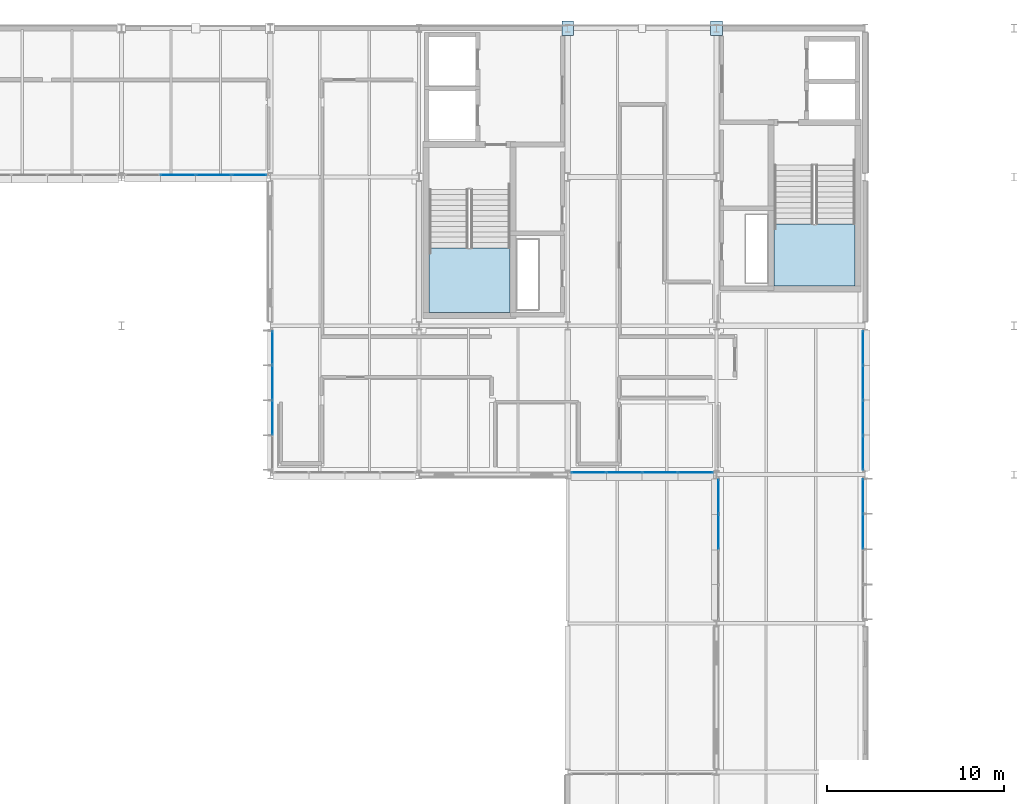
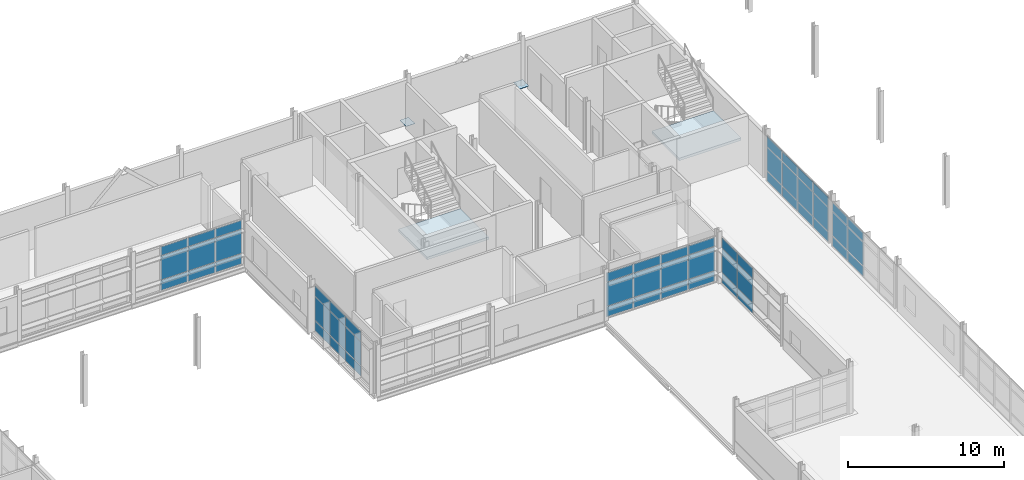
# One storey, part 80 of 103: 56 plates, 2 slabs, 8 elements without a shape of their own.
"""IFC4 building model written with IfcOpenShell, lengths in metres."""

from ifc_helpers import new_model, si_unit, direction, frame, origin, origin_2d, place, context, subcontext, project, spatial, polyline, rectangle, outline, extrude, material, layer, layer_set, type_object, element, aggregate, save


model = new_model("IFC4")

# Units and contexts
model_context = context("Model", 3, precision=1e-05, world=origin(), true_north=direction((0.0, 1.0)))
body_context = subcontext(model_context, "Body", "Model", "MODEL_VIEW")
ifc_project = project(units=[si_unit("LENGTHUNIT", "METRE"), si_unit("AREAUNIT", "SQUARE_METRE"), si_unit("VOLUMEUNIT", "CUBIC_METRE"), si_unit("PLANEANGLEUNIT", "RADIAN"), si_unit("MASSUNIT", "GRAM", prefix="KILO")], contexts=[model_context])

# Site, building, storey
site_placement = place(None, origin())
site = spatial("IfcSite", under=ifc_project, at=site_placement, CompositionType="ELEMENT")
building_placement = place(site_placement, origin())
building = spatial("IfcBuilding", under=site, at=building_placement, Name="Mersafa Astral City Hall", CompositionType="ELEMENT")
storey_placement = place(building_placement, frame((0.0, 0.0, 18.0)))
storey = spatial("IfcBuildingStorey", under=building, at=storey_placement, Name="L04", CompositionType="ELEMENT", Elevation=18.0)

# Curtain wall, plates
ifc_material_1 = material(Name="Anodised bronze aluminium framing", Category="aluminium")
curtain_wall_type_1 = type_object("IfcCurtainWallType", Name="ENV-CW-1", PredefinedType="USERDEFINED", material=ifc_material_1)
curtain_wall_1_placement = place(storey_placement, origin())
curtain_wall_1 = element("IfcCurtainWall", 1, at=curtain_wall_1_placement, inside=storey, type_object=curtain_wall_type_1, Name="L04 Unitised solar curtain wall 192", ObjectType="UNITISED CURTAIN WALL", PredefinedType="USERDEFINED")
ifc_material_2 = material(Name="Solar control low-e double glazing", Category="glass")
ifc_layer_1 = layer(ifc_material_2, 0.028076171875, Name="Solar control low-e double glazing")
ifc_layer_set_1 = layer_set([ifc_layer_1], Name="Solar control low-e double glazing — ENV-CW-PNL-GLZ-1")
plate_type_1 = type_object("IfcPlateType", Name="ENV-CW-PNL-GLZ-1", PredefinedType="CURTAIN_PANEL", material=ifc_layer_set_1)
plate_1_placement = place(storey_placement, frame((176.280029296875, 97.589599609375, 0.05810546875), z_axis=(0.0, 0.0, 1.0), x_axis=(0.0, 1.0, 0.0)))
plate_1 = element("IfcPlate", 2, at=plate_1_placement, type_object=plate_type_1, Name="CW-1 panel 3.1", PredefinedType="CURTAIN_PANEL", context=body_context, shape_type="SweptSolid", body=[
    extrude(rectangle(XDim=1.93896484375, YDim=0.028076171875, at=origin_2d()), origin(), (0.0, 0.0, 1.0), 0.761962890625),
])
plate_2_placement = place(storey_placement, frame((176.280029296875, 97.589599609375, 0.8798828125), z_axis=(0.0, 0.0, 1.0), x_axis=(0.0, 1.0, 0.0)))
plate_2 = element("IfcPlate", 3, at=plate_2_placement, type_object=plate_type_1, Name="CW-1 panel 3.2", PredefinedType="CURTAIN_PANEL", context=body_context, shape_type="SweptSolid", body=[
    extrude(rectangle(XDim=1.93896484375, YDim=0.028076171875, at=origin_2d()), origin(), (0.0, 0.0, 1.0), 1.840087890625),
])
plate_3_placement = place(storey_placement, frame((176.280029296875, 97.589599609375, 2.780029296875), z_axis=(0.0, 0.0, 1.0), x_axis=(0.0, 1.0, 0.0)))
plate_3 = element("IfcPlate", 4, at=plate_3_placement, type_object=plate_type_1, Name="CW-1 panel 3.3", PredefinedType="CURTAIN_PANEL", context=body_context, shape_type="SweptSolid", body=[
    extrude(rectangle(XDim=1.93896484375, YDim=0.028076171875, at=origin_2d()), origin(), (0.0, 0.0, 1.0), 0.6669921875),
])
plate_4_placement = place(storey_placement, frame((176.280029296875, 99.573486328125, 0.05810546875), z_axis=(0.0, 0.0, 1.0), x_axis=(0.0, 1.0, 0.0)))
plate_4 = element("IfcPlate", 5, at=plate_4_placement, type_object=plate_type_1, Name="CW-1 panel 4.1", PredefinedType="CURTAIN_PANEL", context=body_context, shape_type="SweptSolid", body=[
    extrude(rectangle(XDim=1.908935546875, YDim=0.028076171875, at=origin_2d()), origin(), (0.0, 0.0, 1.0), 0.761962890625),
])
plate_5_placement = place(storey_placement, frame((176.280029296875, 99.573486328125, 0.8798828125), z_axis=(0.0, 0.0, 1.0), x_axis=(0.0, 1.0, 0.0)))
plate_5 = element("IfcPlate", 6, at=plate_5_placement, type_object=plate_type_1, Name="CW-1 panel 4.2", PredefinedType="CURTAIN_PANEL", context=body_context, shape_type="SweptSolid", body=[
    extrude(rectangle(XDim=1.908935546875, YDim=0.028076171875, at=origin_2d()), origin(), (0.0, 0.0, 1.0), 1.840087890625),
])
plate_6_placement = place(storey_placement, frame((176.280029296875, 99.573486328125, 2.780029296875), z_axis=(0.0, 0.0, 1.0), x_axis=(0.0, 1.0, 0.0)))
plate_6 = element("IfcPlate", 7, at=plate_6_placement, type_object=plate_type_1, Name="CW-1 panel 4.3", PredefinedType="CURTAIN_PANEL", context=body_context, shape_type="SweptSolid", body=[
    extrude(rectangle(XDim=1.908935546875, YDim=0.028076171875, at=origin_2d()), origin(), (0.0, 0.0, 1.0), 0.6669921875),
])
aggregate(curtain_wall_1, [plate_1, plate_2, plate_3, plate_4, plate_5, plate_6])

curtain_wall_type_2 = type_object("IfcCurtainWallType", Name="ENV-CW-5", PredefinedType="USERDEFINED", material=ifc_material_1)
curtain_wall_2_placement = place(storey_placement, origin())
curtain_wall_2 = element("IfcCurtainWall", 8, at=curtain_wall_2_placement, inside=storey, type_object=curtain_wall_type_2, Name="L04 Unitised solar curtain wall 220", ObjectType="UNITISED CURTAIN WALL", PredefinedType="USERDEFINED")
plate_7_placement = place(storey_placement, frame((142.919921875, 107.957275390625, 0.05810546875), z_axis=(0.0, 0.0, 1.0), x_axis=(0.0, -1.0, 0.0)))
plate_7 = element("IfcPlate", 9, at=plate_7_placement, type_object=plate_type_1, Name="CW-5 panel 1.1", PredefinedType="CURTAIN_PANEL", context=body_context, shape_type="SweptSolid", body=[
    extrude(rectangle(XDim=1.8916015625, YDim=0.028076171875, at=origin_2d()), origin(), (0.0, 0.0, 1.0), 0.761962890625),
])
plate_8_placement = place(storey_placement, frame((142.919921875, 107.957275390625, 0.8798828125), z_axis=(0.0, 0.0, 1.0), x_axis=(0.0, -1.0, 0.0)))
plate_8 = element("IfcPlate", 10, at=plate_8_placement, type_object=plate_type_1, Name="CW-5 panel 1.2", PredefinedType="CURTAIN_PANEL", context=body_context, shape_type="SweptSolid", body=[
    extrude(rectangle(XDim=1.8916015625, YDim=0.028076171875, at=origin_2d()), origin(), (0.0, 0.0, 1.0), 1.840087890625),
])
plate_9_placement = place(storey_placement, frame((142.919921875, 107.957275390625, 2.77978515625), z_axis=(0.0, 0.0, 1.0), x_axis=(0.0, -1.0, 0.0)))
plate_9 = element("IfcPlate", 11, at=plate_9_placement, type_object=plate_type_1, Name="CW-5 panel 1.3", PredefinedType="CURTAIN_PANEL", context=body_context, shape_type="SweptSolid", body=[
    extrude(rectangle(XDim=1.8916015625, YDim=0.028076171875, at=origin_2d()), origin(), (0.0, 0.0, 1.0), 0.757080078125),
])
plate_10_placement = place(storey_placement, frame((142.919921875, 105.99072265625, 0.05810546875), z_axis=(0.0, 0.0, 1.0), x_axis=(0.0, -1.0, 0.0)))
plate_10 = element("IfcPlate", 12, at=plate_10_placement, type_object=plate_type_1, Name="CW-5 panel 2.1", PredefinedType="CURTAIN_PANEL", context=body_context, shape_type="SweptSolid", body=[
    extrude(rectangle(XDim=1.92138671875, YDim=0.028076171875, at=origin_2d()), origin(), (0.0, 0.0, 1.0), 0.761962890625),
])
plate_11_placement = place(storey_placement, frame((142.919921875, 105.99072265625, 0.8798828125), z_axis=(0.0, 0.0, 1.0), x_axis=(0.0, -1.0, 0.0)))
plate_11 = element("IfcPlate", 13, at=plate_11_placement, type_object=plate_type_1, Name="CW-5 panel 2.2", PredefinedType="CURTAIN_PANEL", context=body_context, shape_type="SweptSolid", body=[
    extrude(rectangle(XDim=1.92138671875, YDim=0.028076171875, at=origin_2d()), origin(), (0.0, 0.0, 1.0), 1.840087890625),
])
plate_12_placement = place(storey_placement, frame((142.919921875, 105.99072265625, 2.77978515625), z_axis=(0.0, 0.0, 1.0), x_axis=(0.0, -1.0, 0.0)))
plate_12 = element("IfcPlate", 14, at=plate_12_placement, type_object=plate_type_1, Name="CW-5 panel 2.3", PredefinedType="CURTAIN_PANEL", context=body_context, shape_type="SweptSolid", body=[
    extrude(rectangle(XDim=1.92138671875, YDim=0.028076171875, at=origin_2d()), origin(), (0.0, 0.0, 1.0), 0.757080078125),
])
plate_13_placement = place(storey_placement, frame((142.919921875, 104.00927734375, 0.05810546875), z_axis=(0.0, 0.0, 1.0), x_axis=(0.0, -1.0, 0.0)))
plate_13 = element("IfcPlate", 15, at=plate_13_placement, type_object=plate_type_1, Name="CW-5 panel 3.1", PredefinedType="CURTAIN_PANEL", context=body_context, shape_type="SweptSolid", body=[
    extrude(rectangle(XDim=1.92138671875, YDim=0.028076171875, at=origin_2d()), origin(), (0.0, 0.0, 1.0), 0.761962890625),
])
plate_14_placement = place(storey_placement, frame((142.919921875, 104.00927734375, 0.8798828125), z_axis=(0.0, 0.0, 1.0), x_axis=(0.0, -1.0, 0.0)))
plate_14 = element("IfcPlate", 16, at=plate_14_placement, type_object=plate_type_1, Name="CW-5 panel 3.2", PredefinedType="CURTAIN_PANEL", context=body_context, shape_type="SweptSolid", body=[
    extrude(rectangle(XDim=1.92138671875, YDim=0.028076171875, at=origin_2d()), origin(), (0.0, 0.0, 1.0), 1.840087890625),
])
plate_15_placement = place(storey_placement, frame((142.919921875, 104.00927734375, 2.77978515625), z_axis=(0.0, 0.0, 1.0), x_axis=(0.0, -1.0, 0.0)))
plate_15 = element("IfcPlate", 17, at=plate_15_placement, type_object=plate_type_1, Name="CW-5 panel 3.3", PredefinedType="CURTAIN_PANEL", context=body_context, shape_type="SweptSolid", body=[
    extrude(rectangle(XDim=1.92138671875, YDim=0.028076171875, at=origin_2d()), origin(), (0.0, 0.0, 1.0), 0.757080078125),
])
aggregate(curtain_wall_2, [plate_7, plate_8, plate_9, plate_10, plate_11, plate_12, plate_13, plate_14, plate_15])

curtain_wall_type_3 = type_object("IfcCurtainWallType", Name="ENV-CW-2", PredefinedType="USERDEFINED", material=ifc_material_1)
curtain_wall_3_placement = place(storey_placement, origin())
curtain_wall_3 = element("IfcCurtainWall", 18, at=curtain_wall_3_placement, inside=storey, type_object=curtain_wall_type_3, Name="L04 Unitised solar curtain wall 193", ObjectType="UNITISED CURTAIN WALL", PredefinedType="USERDEFINED")
ifc_layer_2 = layer(ifc_material_2, 0.031982421875, Name="Solar control low-e double glazing")
ifc_layer_set_2 = layer_set([ifc_layer_2], Name="Solar control low-e double glazing — ENV-CW-PNL-GLZ-2")
plate_type_2 = type_object("IfcPlateType", Name="ENV-CW-PNL-GLZ-2", PredefinedType="CURTAIN_PANEL", material=ifc_layer_set_2)
plate_16_placement = place(storey_placement, frame((176.280029296875, 102.02099609375, 0.05810546875), z_axis=(0.0, 0.0, 1.0), x_axis=(0.0, 1.0, 0.0)))
plate_16 = element("IfcPlate", 19, at=plate_16_placement, type_object=plate_type_2, Name="CW-2 panel 1.1", PredefinedType="CURTAIN_PANEL", context=body_context, shape_type="SweptSolid", body=[
    extrude(rectangle(XDim=1.897705078125, YDim=0.031982421875, at=origin_2d()), origin(), (0.0, 0.0, 1.0), 0.761962890625),
])
plate_17_placement = place(storey_placement, frame((176.280029296875, 102.02099609375, 0.8798828125), z_axis=(0.0, 0.0, 1.0), x_axis=(0.0, 1.0, 0.0)))
plate_17 = element("IfcPlate", 20, at=plate_17_placement, type_object=plate_type_2, Name="CW-2 panel 1.2", PredefinedType="CURTAIN_PANEL", context=body_context, shape_type="SweptSolid", body=[
    extrude(rectangle(XDim=1.897705078125, YDim=0.031982421875, at=origin_2d()), origin(), (0.0, 0.0, 1.0), 1.840087890625),
])
plate_18_placement = place(storey_placement, frame((176.280029296875, 102.02099609375, 2.77978515625), z_axis=(0.0, 0.0, 1.0), x_axis=(0.0, 1.0, 0.0)))
plate_18 = element("IfcPlate", 21, at=plate_18_placement, type_object=plate_type_2, Name="CW-2 panel 1.3", PredefinedType="CURTAIN_PANEL", context=body_context, shape_type="SweptSolid", body=[
    extrude(rectangle(XDim=1.897705078125, YDim=0.031982421875, at=origin_2d()), origin(), (0.0, 0.0, 1.0), 0.757080078125),
])
plate_19_placement = place(storey_placement, frame((176.280029296875, 103.99365234375, 0.05810546875), z_axis=(0.0, 0.0, 1.0), x_axis=(0.0, 1.0, 0.0)))
plate_19 = element("IfcPlate", 22, at=plate_19_placement, type_object=plate_type_2, Name="CW-2 panel 2.1", PredefinedType="CURTAIN_PANEL", context=body_context, shape_type="SweptSolid", body=[
    extrude(rectangle(XDim=1.927734375, YDim=0.031982421875, at=origin_2d()), origin(), (0.0, 0.0, 1.0), 0.761962890625),
])
plate_20_placement = place(storey_placement, frame((176.280029296875, 103.99365234375, 0.8798828125), z_axis=(0.0, 0.0, 1.0), x_axis=(0.0, 1.0, 0.0)))
plate_20 = element("IfcPlate", 23, at=plate_20_placement, type_object=plate_type_2, Name="CW-2 panel 2.2", PredefinedType="CURTAIN_PANEL", context=body_context, shape_type="SweptSolid", body=[
    extrude(rectangle(XDim=1.927734375, YDim=0.031982421875, at=origin_2d()), origin(), (0.0, 0.0, 1.0), 1.840087890625),
])
plate_21_placement = place(storey_placement, frame((176.280029296875, 103.99365234375, 2.77978515625), z_axis=(0.0, 0.0, 1.0), x_axis=(0.0, 1.0, 0.0)))
plate_21 = element("IfcPlate", 24, at=plate_21_placement, type_object=plate_type_2, Name="CW-2 panel 2.3", PredefinedType="CURTAIN_PANEL", context=body_context, shape_type="SweptSolid", body=[
    extrude(rectangle(XDim=1.927734375, YDim=0.031982421875, at=origin_2d()), origin(), (0.0, 0.0, 1.0), 0.757080078125),
])
plate_22_placement = place(storey_placement, frame((176.280029296875, 105.9814453125, 0.05810546875), z_axis=(0.0, 0.0, 1.0), x_axis=(0.0, 1.0, 0.0)))
plate_22 = element("IfcPlate", 25, at=plate_22_placement, type_object=plate_type_2, Name="CW-2 panel 3.1", PredefinedType="CURTAIN_PANEL", context=body_context, shape_type="SweptSolid", body=[
    extrude(rectangle(XDim=1.927734375, YDim=0.031982421875, at=origin_2d()), origin(), (0.0, 0.0, 1.0), 0.761962890625),
])
plate_23_placement = place(storey_placement, frame((176.280029296875, 105.9814453125, 0.8798828125), z_axis=(0.0, 0.0, 1.0), x_axis=(0.0, 1.0, 0.0)))
plate_23 = element("IfcPlate", 26, at=plate_23_placement, type_object=plate_type_2, Name="CW-2 panel 3.2", PredefinedType="CURTAIN_PANEL", context=body_context, shape_type="SweptSolid", body=[
    extrude(rectangle(XDim=1.927734375, YDim=0.031982421875, at=origin_2d()), origin(), (0.0, 0.0, 1.0), 1.840087890625),
])
plate_24_placement = place(storey_placement, frame((176.280029296875, 105.9814453125, 2.77978515625), z_axis=(0.0, 0.0, 1.0), x_axis=(0.0, 1.0, 0.0)))
plate_24 = element("IfcPlate", 27, at=plate_24_placement, type_object=plate_type_2, Name="CW-2 panel 3.3", PredefinedType="CURTAIN_PANEL", context=body_context, shape_type="SweptSolid", body=[
    extrude(rectangle(XDim=1.927734375, YDim=0.031982421875, at=origin_2d()), origin(), (0.0, 0.0, 1.0), 0.757080078125),
])
plate_25_placement = place(storey_placement, frame((176.280029296875, 107.9541015625, 0.05810546875), z_axis=(0.0, 0.0, 1.0), x_axis=(0.0, 1.0, 0.0)))
plate_25 = element("IfcPlate", 28, at=plate_25_placement, type_object=plate_type_2, Name="CW-2 panel 4.1", PredefinedType="CURTAIN_PANEL", context=body_context, shape_type="SweptSolid", body=[
    extrude(rectangle(XDim=1.897705078125, YDim=0.031982421875, at=origin_2d()), origin(), (0.0, 0.0, 1.0), 0.761962890625),
])
plate_26_placement = place(storey_placement, frame((176.280029296875, 107.9541015625, 0.8798828125), z_axis=(0.0, 0.0, 1.0), x_axis=(0.0, 1.0, 0.0)))
plate_26 = element("IfcPlate", 29, at=plate_26_placement, type_object=plate_type_2, Name="CW-2 panel 4.2", PredefinedType="CURTAIN_PANEL", context=body_context, shape_type="SweptSolid", body=[
    extrude(rectangle(XDim=1.897705078125, YDim=0.031982421875, at=origin_2d()), origin(), (0.0, 0.0, 1.0), 1.840087890625),
])
plate_27_placement = place(storey_placement, frame((176.280029296875, 107.9541015625, 2.77978515625), z_axis=(0.0, 0.0, 1.0), x_axis=(0.0, 1.0, 0.0)))
plate_27 = element("IfcPlate", 30, at=plate_27_placement, type_object=plate_type_2, Name="CW-2 panel 4.3", PredefinedType="CURTAIN_PANEL", context=body_context, shape_type="SweptSolid", body=[
    extrude(rectangle(XDim=1.897705078125, YDim=0.031982421875, at=origin_2d()), origin(), (0.0, 0.0, 1.0), 0.757080078125),
])
aggregate(curtain_wall_3, [plate_16, plate_17, plate_18, plate_19, plate_20, plate_21, plate_22, plate_23, plate_24, plate_25, plate_26, plate_27])

curtain_wall_4_placement = place(storey_placement, origin())
curtain_wall_4 = element("IfcCurtainWall", 31, at=curtain_wall_4_placement, inside=storey, type_object=curtain_wall_type_1, Name="L04 Unitised solar curtain wall 222", ObjectType="UNITISED CURTAIN WALL", PredefinedType="USERDEFINED")
ifc_layer_3 = layer(ifc_material_2, 0.035888671875, Name="Solar control low-e double glazing")
ifc_layer_set_3 = layer_set([ifc_layer_3], Name="Solar control low-e double glazing — ENV-CW-PNL-GLZ-3")
plate_type_3 = type_object("IfcPlateType", Name="ENV-CW-PNL-GLZ-3", PredefinedType="CURTAIN_PANEL", material=ifc_layer_set_3)
plate_28_placement = place(storey_placement, frame((160.78662109375, 100.919921875, 0.05810546875), z_axis=(0.0, 0.0, 1.0), x_axis=(1.0, 0.0, 0.0)))
plate_28 = element("IfcPlate", 32, at=plate_28_placement, type_object=plate_type_3, Name="CW-1 panel 1.1", PredefinedType="CURTAIN_PANEL", context=body_context, shape_type="SweptSolid", body=[
    extrude(rectangle(XDim=1.928955078125, YDim=0.035888671875, at=origin_2d()), origin(), (0.0, 0.0, 1.0), 0.761962890625),
])
plate_29_placement = place(storey_placement, frame((160.78662109375, 100.919921875, 0.8798828125), z_axis=(0.0, 0.0, 1.0), x_axis=(1.0, 0.0, 0.0)))
plate_29 = element("IfcPlate", 33, at=plate_29_placement, type_object=plate_type_3, Name="CW-1 panel 1.2", PredefinedType="CURTAIN_PANEL", context=body_context, shape_type="SweptSolid", body=[
    extrude(rectangle(XDim=1.928955078125, YDim=0.035888671875, at=origin_2d()), origin(), (0.0, 0.0, 1.0), 1.840087890625),
])
plate_30_placement = place(storey_placement, frame((160.78662109375, 100.919921875, 2.77978515625), z_axis=(0.0, 0.0, 1.0), x_axis=(1.0, 0.0, 0.0)))
plate_30 = element("IfcPlate", 34, at=plate_30_placement, type_object=plate_type_3, Name="CW-1 panel 1.3", PredefinedType="CURTAIN_PANEL", context=body_context, shape_type="SweptSolid", body=[
    extrude(rectangle(XDim=1.928955078125, YDim=0.035888671875, at=origin_2d()), origin(), (0.0, 0.0, 1.0), 0.697021484375),
])
plate_31_placement = place(storey_placement, frame((162.79052734375, 100.919921875, 0.05810546875), z_axis=(0.0, 0.0, 1.0), x_axis=(1.0, 0.0, 0.0)))
plate_31 = element("IfcPlate", 35, at=plate_31_placement, type_object=plate_type_3, Name="CW-1 panel 2.1", PredefinedType="CURTAIN_PANEL", context=body_context, shape_type="SweptSolid", body=[
    extrude(rectangle(XDim=1.958984375, YDim=0.035888671875, at=origin_2d()), origin(), (0.0, 0.0, 1.0), 0.761962890625),
])
plate_32_placement = place(storey_placement, frame((162.79052734375, 100.919921875, 0.8798828125), z_axis=(0.0, 0.0, 1.0), x_axis=(1.0, 0.0, 0.0)))
plate_32 = element("IfcPlate", 36, at=plate_32_placement, type_object=plate_type_3, Name="CW-1 panel 2.2", PredefinedType="CURTAIN_PANEL", context=body_context, shape_type="SweptSolid", body=[
    extrude(rectangle(XDim=1.958984375, YDim=0.035888671875, at=origin_2d()), origin(), (0.0, 0.0, 1.0), 1.840087890625),
])
plate_33_placement = place(storey_placement, frame((162.79052734375, 100.919921875, 2.77978515625), z_axis=(0.0, 0.0, 1.0), x_axis=(1.0, 0.0, 0.0)))
plate_33 = element("IfcPlate", 37, at=plate_33_placement, type_object=plate_type_3, Name="CW-1 panel 2.3", PredefinedType="CURTAIN_PANEL", context=body_context, shape_type="SweptSolid", body=[
    extrude(rectangle(XDim=1.958984375, YDim=0.035888671875, at=origin_2d()), origin(), (0.0, 0.0, 1.0), 0.697021484375),
])
plate_34_placement = place(storey_placement, frame((164.8095703125, 100.919921875, 0.05810546875), z_axis=(0.0, 0.0, 1.0), x_axis=(1.0, 0.0, 0.0)))
plate_34 = element("IfcPlate", 38, at=plate_34_placement, type_object=plate_type_3, Name="CW-1 panel 3.1", PredefinedType="CURTAIN_PANEL", context=body_context, shape_type="SweptSolid", body=[
    extrude(rectangle(XDim=1.958984375, YDim=0.035888671875, at=origin_2d()), origin(), (0.0, 0.0, 1.0), 0.761962890625),
])
plate_35_placement = place(storey_placement, frame((164.8095703125, 100.919921875, 0.8798828125), z_axis=(0.0, 0.0, 1.0), x_axis=(1.0, 0.0, 0.0)))
plate_35 = element("IfcPlate", 39, at=plate_35_placement, type_object=plate_type_3, Name="CW-1 panel 3.2", PredefinedType="CURTAIN_PANEL", context=body_context, shape_type="SweptSolid", body=[
    extrude(rectangle(XDim=1.958984375, YDim=0.035888671875, at=origin_2d()), origin(), (0.0, 0.0, 1.0), 1.840087890625),
])
plate_36_placement = place(storey_placement, frame((164.8095703125, 100.919921875, 2.77978515625), z_axis=(0.0, 0.0, 1.0), x_axis=(1.0, 0.0, 0.0)))
plate_36 = element("IfcPlate", 40, at=plate_36_placement, type_object=plate_type_3, Name="CW-1 panel 3.3", PredefinedType="CURTAIN_PANEL", context=body_context, shape_type="SweptSolid", body=[
    extrude(rectangle(XDim=1.958984375, YDim=0.035888671875, at=origin_2d()), origin(), (0.0, 0.0, 1.0), 0.697021484375),
])
plate_37_placement = place(storey_placement, frame((166.8134765625, 100.919921875, 0.05810546875), z_axis=(0.0, 0.0, 1.0), x_axis=(1.0, 0.0, 0.0)))
plate_37 = element("IfcPlate", 41, at=plate_37_placement, type_object=plate_type_3, Name="CW-1 panel 4.1", PredefinedType="CURTAIN_PANEL", context=body_context, shape_type="SweptSolid", body=[
    extrude(rectangle(XDim=1.928955078125, YDim=0.035888671875, at=origin_2d()), origin(), (0.0, 0.0, 1.0), 0.761962890625),
])
plate_38_placement = place(storey_placement, frame((166.8134765625, 100.919921875, 0.8798828125), z_axis=(0.0, 0.0, 1.0), x_axis=(1.0, 0.0, 0.0)))
plate_38 = element("IfcPlate", 42, at=plate_38_placement, type_object=plate_type_3, Name="CW-1 panel 4.2", PredefinedType="CURTAIN_PANEL", context=body_context, shape_type="SweptSolid", body=[
    extrude(rectangle(XDim=1.928955078125, YDim=0.035888671875, at=origin_2d()), origin(), (0.0, 0.0, 1.0), 1.840087890625),
])
plate_39_placement = place(storey_placement, frame((166.8134765625, 100.919921875, 2.77978515625), z_axis=(0.0, 0.0, 1.0), x_axis=(1.0, 0.0, 0.0)))
plate_39 = element("IfcPlate", 43, at=plate_39_placement, type_object=plate_type_3, Name="CW-1 panel 4.3", PredefinedType="CURTAIN_PANEL", context=body_context, shape_type="SweptSolid", body=[
    extrude(rectangle(XDim=1.928955078125, YDim=0.035888671875, at=origin_2d()), origin(), (0.0, 0.0, 1.0), 0.697021484375),
])
aggregate(curtain_wall_4, [plate_28, plate_29, plate_30, plate_31, plate_32, plate_33, plate_34, plate_35, plate_36, plate_37, plate_38, plate_39])

curtain_wall_type_4 = type_object("IfcCurtainWallType", Name="ENV-CW-4", PredefinedType="USERDEFINED", material=ifc_material_1)
curtain_wall_5_placement = place(storey_placement, origin())
curtain_wall_5 = element("IfcCurtainWall", 44, at=curtain_wall_5_placement, inside=storey, type_object=curtain_wall_type_4, Name="L04 Unitised solar curtain wall 219", ObjectType="UNITISED CURTAIN WALL", PredefinedType="USERDEFINED")
ifc_layer_4 = layer(ifc_material_2, 0.0400390625, Name="Solar control low-e double glazing")
ifc_layer_set_4 = layer_set([ifc_layer_4], Name="Solar control low-e double glazing — ENV-CW-PNL-GLZ-4")
plate_type_4 = type_object("IfcPlateType", Name="ENV-CW-PNL-GLZ-4", PredefinedType="CURTAIN_PANEL", material=ifc_layer_set_4)
plate_40_placement = place(storey_placement, frame((137.590576171875, 117.719970703125, 0.05810546875), z_axis=(0.0, 0.0, 1.0), x_axis=(1.0, 0.0, 0.0)))
plate_40 = element("IfcPlate", 45, at=plate_40_placement, type_object=plate_type_4, Name="CW-4 panel 2.1", PredefinedType="CURTAIN_PANEL", context=body_context, shape_type="SweptSolid", body=[
    extrude(rectangle(XDim=1.958984375, YDim=0.0400390625, at=origin_2d()), origin(), (0.0, 0.0, 1.0), 0.761962890625),
])
plate_41_placement = place(storey_placement, frame((137.590576171875, 117.719970703125, 0.8798828125), z_axis=(0.0, 0.0, 1.0), x_axis=(1.0, 0.0, 0.0)))
plate_41 = element("IfcPlate", 46, at=plate_41_placement, type_object=plate_type_4, Name="CW-4 panel 2.2", PredefinedType="CURTAIN_PANEL", context=body_context, shape_type="SweptSolid", body=[
    extrude(rectangle(XDim=1.958984375, YDim=0.0400390625, at=origin_2d()), origin(), (0.0, 0.0, 1.0), 1.840087890625),
])
plate_42_placement = place(storey_placement, frame((137.590576171875, 117.719970703125, 2.780029296875), z_axis=(0.0, 0.0, 1.0), x_axis=(1.0, 0.0, 0.0)))
plate_42 = element("IfcPlate", 47, at=plate_42_placement, type_object=plate_type_4, Name="CW-4 panel 2.3", PredefinedType="CURTAIN_PANEL", context=body_context, shape_type="SweptSolid", body=[
    extrude(rectangle(XDim=1.958984375, YDim=0.0400390625, at=origin_2d()), origin(), (0.0, 0.0, 1.0), 0.6669921875),
])
plate_43_placement = place(storey_placement, frame((139.609619140625, 117.719970703125, 0.05810546875), z_axis=(0.0, 0.0, 1.0), x_axis=(1.0, 0.0, 0.0)))
plate_43 = element("IfcPlate", 48, at=plate_43_placement, type_object=plate_type_4, Name="CW-4 panel 3.1", PredefinedType="CURTAIN_PANEL", context=body_context, shape_type="SweptSolid", body=[
    extrude(rectangle(XDim=1.958984375, YDim=0.0400390625, at=origin_2d()), origin(), (0.0, 0.0, 1.0), 0.761962890625),
])
plate_44_placement = place(storey_placement, frame((139.609619140625, 117.719970703125, 0.8798828125), z_axis=(0.0, 0.0, 1.0), x_axis=(1.0, 0.0, 0.0)))
plate_44 = element("IfcPlate", 49, at=plate_44_placement, type_object=plate_type_4, Name="CW-4 panel 3.2", PredefinedType="CURTAIN_PANEL", context=body_context, shape_type="SweptSolid", body=[
    extrude(rectangle(XDim=1.958984375, YDim=0.0400390625, at=origin_2d()), origin(), (0.0, 0.0, 1.0), 1.840087890625),
])
plate_45_placement = place(storey_placement, frame((139.609619140625, 117.719970703125, 2.780029296875), z_axis=(0.0, 0.0, 1.0), x_axis=(1.0, 0.0, 0.0)))
plate_45 = element("IfcPlate", 50, at=plate_45_placement, type_object=plate_type_4, Name="CW-4 panel 3.3", PredefinedType="CURTAIN_PANEL", context=body_context, shape_type="SweptSolid", body=[
    extrude(rectangle(XDim=1.958984375, YDim=0.0400390625, at=origin_2d()), origin(), (0.0, 0.0, 1.0), 0.6669921875),
])
plate_46_placement = place(storey_placement, frame((141.613525390625, 117.719970703125, 0.05810546875), z_axis=(0.0, 0.0, 1.0), x_axis=(1.0, 0.0, 0.0)))
plate_46 = element("IfcPlate", 51, at=plate_46_placement, type_object=plate_type_4, Name="CW-4 panel 4.1", PredefinedType="CURTAIN_PANEL", context=body_context, shape_type="SweptSolid", body=[
    extrude(rectangle(XDim=1.928955078125, YDim=0.0400390625, at=origin_2d()), origin(), (0.0, 0.0, 1.0), 0.761962890625),
])
plate_47_placement = place(storey_placement, frame((141.613525390625, 117.719970703125, 0.8798828125), z_axis=(0.0, 0.0, 1.0), x_axis=(1.0, 0.0, 0.0)))
plate_47 = element("IfcPlate", 52, at=plate_47_placement, type_object=plate_type_4, Name="CW-4 panel 4.2", PredefinedType="CURTAIN_PANEL", context=body_context, shape_type="SweptSolid", body=[
    extrude(rectangle(XDim=1.928955078125, YDim=0.0400390625, at=origin_2d()), origin(), (0.0, 0.0, 1.0), 1.840087890625),
])
plate_48_placement = place(storey_placement, frame((141.613525390625, 117.719970703125, 2.780029296875), z_axis=(0.0, 0.0, 1.0), x_axis=(1.0, 0.0, 0.0)))
plate_48 = element("IfcPlate", 53, at=plate_48_placement, type_object=plate_type_4, Name="CW-4 panel 4.3", PredefinedType="CURTAIN_PANEL", context=body_context, shape_type="SweptSolid", body=[
    extrude(rectangle(XDim=1.928955078125, YDim=0.0400390625, at=origin_2d()), origin(), (0.0, 0.0, 1.0), 0.6669921875),
])
aggregate(curtain_wall_5, [plate_40, plate_41, plate_42, plate_43, plate_44, plate_45, plate_46, plate_47, plate_48])

curtain_wall_6_placement = place(storey_placement, origin())
curtain_wall_6 = element("IfcCurtainWall", 54, at=curtain_wall_6_placement, inside=storey, type_object=curtain_wall_type_3, Name="L04 Unitised solar curtain wall 223", ObjectType="UNITISED CURTAIN WALL", PredefinedType="USERDEFINED")
plate_49_placement = place(storey_placement, frame((168.1201171875, 99.55029296875, 0.05810546875), z_axis=(0.0, 0.0, 1.0), x_axis=(0.0, -1.0, 0.0)))
plate_49 = element("IfcPlate", 55, at=plate_49_placement, type_object=plate_type_4, Name="CW-2 panel 1.1", PredefinedType="CURTAIN_PANEL", context=body_context, shape_type="SweptSolid", body=[
    extrude(rectangle(XDim=1.9052734375, YDim=0.0400390625, at=origin_2d()), origin(), (0.0, 0.0, 1.0), 0.761962890625),
])
plate_50_placement = place(storey_placement, frame((168.1201171875, 99.55029296875, 0.8798828125), z_axis=(0.0, 0.0, 1.0), x_axis=(0.0, -1.0, 0.0)))
plate_50 = element("IfcPlate", 56, at=plate_50_placement, type_object=plate_type_4, Name="CW-2 panel 1.2", PredefinedType="CURTAIN_PANEL", context=body_context, shape_type="SweptSolid", body=[
    extrude(rectangle(XDim=1.9052734375, YDim=0.0400390625, at=origin_2d()), origin(), (0.0, 0.0, 1.0), 1.840087890625),
])
plate_51_placement = place(storey_placement, frame((168.1201171875, 99.55029296875, 2.77978515625), z_axis=(0.0, 0.0, 1.0), x_axis=(0.0, -1.0, 0.0)))
plate_51 = element("IfcPlate", 57, at=plate_51_placement, type_object=plate_type_4, Name="CW-2 panel 1.3", PredefinedType="CURTAIN_PANEL", context=body_context, shape_type="SweptSolid", body=[
    extrude(rectangle(XDim=1.9052734375, YDim=0.0400390625, at=origin_2d()), origin(), (0.0, 0.0, 1.0), 0.757080078125),
])
plate_52_placement = place(storey_placement, frame((168.1201171875, 97.570068359375, 0.05810546875), z_axis=(0.0, 0.0, 1.0), x_axis=(0.0, -1.0, 0.0)))
plate_52 = element("IfcPlate", 58, at=plate_52_placement, type_object=plate_type_4, Name="CW-2 panel 2.1", PredefinedType="CURTAIN_PANEL", context=body_context, shape_type="SweptSolid", body=[
    extrude(rectangle(XDim=1.935302734375, YDim=0.0400390625, at=origin_2d()), origin(), (0.0, 0.0, 1.0), 0.761962890625),
])
plate_53_placement = place(storey_placement, frame((168.1201171875, 97.570068359375, 0.8798828125), z_axis=(0.0, 0.0, 1.0), x_axis=(0.0, -1.0, 0.0)))
plate_53 = element("IfcPlate", 59, at=plate_53_placement, type_object=plate_type_4, Name="CW-2 panel 2.2", PredefinedType="CURTAIN_PANEL", context=body_context, shape_type="SweptSolid", body=[
    extrude(rectangle(XDim=1.935302734375, YDim=0.0400390625, at=origin_2d()), origin(), (0.0, 0.0, 1.0), 1.840087890625),
])
plate_54_placement = place(storey_placement, frame((168.1201171875, 97.570068359375, 2.77978515625), z_axis=(0.0, 0.0, 1.0), x_axis=(0.0, -1.0, 0.0)))
plate_54 = element("IfcPlate", 60, at=plate_54_placement, type_object=plate_type_4, Name="CW-2 panel 2.3", PredefinedType="CURTAIN_PANEL", context=body_context, shape_type="SweptSolid", body=[
    extrude(rectangle(XDim=1.935302734375, YDim=0.0400390625, at=origin_2d()), origin(), (0.0, 0.0, 1.0), 0.757080078125),
])
aggregate(curtain_wall_6, [plate_49, plate_50, plate_51, plate_52, plate_53, plate_54])

# Stair, slab
ifc_material_3 = material(Name="Concrete C40/50", Category="concrete")
stair_type = type_object("IfcStairType", Name="STAIR", PredefinedType="HALF_TURN_STAIR", material=ifc_material_3)
stair_1_placement = place(storey_placement, origin())
stair_1 = element("IfcStair", 61, at=stair_1_placement, inside=storey, type_object=stair_type, Name="L04 Protected Exit Stair ST1", PredefinedType="HALF_TURN_STAIR")
ifc_layer_5 = layer(ifc_material_3, 0.199951171875, Name="Concrete C40/50")
ifc_layer_set_5 = layer_set([ifc_layer_5], Name="Concrete C40/50 — STAIR-LANDING")
slab_type = type_object("IfcSlabType", Name="STAIR-LANDING", PredefinedType="LANDING", material=ifc_layer_set_5)
slab_1_placement = place(storey_placement, frame((0.0, 0.0, 1.824951171875)))
slab_1 = element("IfcSlab", 62, at=slab_1_placement, type_object=slab_type, Name="ST1 landing 1", PredefinedType="LANDING", context=body_context, shape_type="SweptSolid", body=[
    extrude(outline(polyline([(151.780029296875, 113.60009765625), (151.780029296875, 109.949951171875), (156.340087890625, 109.949951171875), (156.340087890625, 113.60009765625), (151.780029296875, 113.60009765625)])), origin(), (0.0, 0.0, 1.0), 0.199951171875),
])
aggregate(stair_1, [slab_1])

stair_2_placement = place(storey_placement, origin())
stair_2 = element("IfcStair", 63, at=stair_2_placement, inside=storey, type_object=stair_type, Name="L04 Protected Exit Stair ST2", PredefinedType="HALF_TURN_STAIR")
slab_2_placement = place(storey_placement, frame((0.0, 0.0, 1.824951171875)))
slab_2 = element("IfcSlab", 64, at=slab_2_placement, type_object=slab_type, Name="ST2 landing 1", PredefinedType="LANDING", context=body_context, shape_type="SweptSolid", body=[
    extrude(outline(polyline([(171.260009765625, 114.9599609375), (171.260009765625, 111.449951171875), (175.820068359375, 111.449951171875), (175.820068359375, 114.9599609375), (171.260009765625, 114.9599609375)])), origin(), (0.0, 0.0, 1.0), 0.199951171875),
])
aggregate(stair_2, [slab_2])

# Plates
ifc_material_4 = material(Name="Steel S355", Category="steel")
ifc_layer_6 = layer(ifc_material_4, 0.02294921875, Name="Steel S355")
ifc_layer_set_6 = layer_set([ifc_layer_6], Name="Steel S355 — STR-PLT-NP-30")
plate_type_5 = type_object("IfcPlateType", Name="STR-PLT-NP-30", PredefinedType="SHEET", material=ifc_layer_set_6)
plate_55_placement = place(storey_placement, frame((159.597900390625, 126.0, 0.108642578125), z_axis=(0.0, 0.0, 1.0), x_axis=(1.0, 0.0, 0.0)))
element("IfcPlate", 65, at=plate_55_placement, inside=storey, type_object=plate_type_5, Name="L04 Structural steel brace gusset plate NP-30", PredefinedType="SHEET", context=body_context, shape_type="SweptSolid", body=[
    extrude(rectangle(XDim=0.659912109375, YDim=0.81005859375, at=origin_2d()), origin(), (0.0, 0.0, 1.0), 0.02294921875),
])
ifc_layer_7 = layer(ifc_material_4, 0.02392578125, Name="Steel S355")
ifc_layer_set_7 = layer_set([ifc_layer_7], Name="Steel S355 — STR-PLT-NP-31")
plate_type_6 = type_object("IfcPlateType", Name="STR-PLT-NP-31", PredefinedType="SHEET", material=ifc_layer_set_7)
plate_56_placement = place(storey_placement, frame((168.001953125, 126.0, 0.108154296875), z_axis=(0.0, 0.0, 1.0), x_axis=(1.0, 0.0, 0.0)))
element("IfcPlate", 66, at=plate_56_placement, inside=storey, type_object=plate_type_6, Name="L04 Structural steel brace gusset plate NP-31", PredefinedType="SHEET", context=body_context, shape_type="SweptSolid", body=[
    extrude(rectangle(XDim=0.68505859375, YDim=0.840087890625, at=origin_2d()), origin(), (0.0, 0.0, 1.0), 0.02392578125),
])

save(model, "model.ifc")
